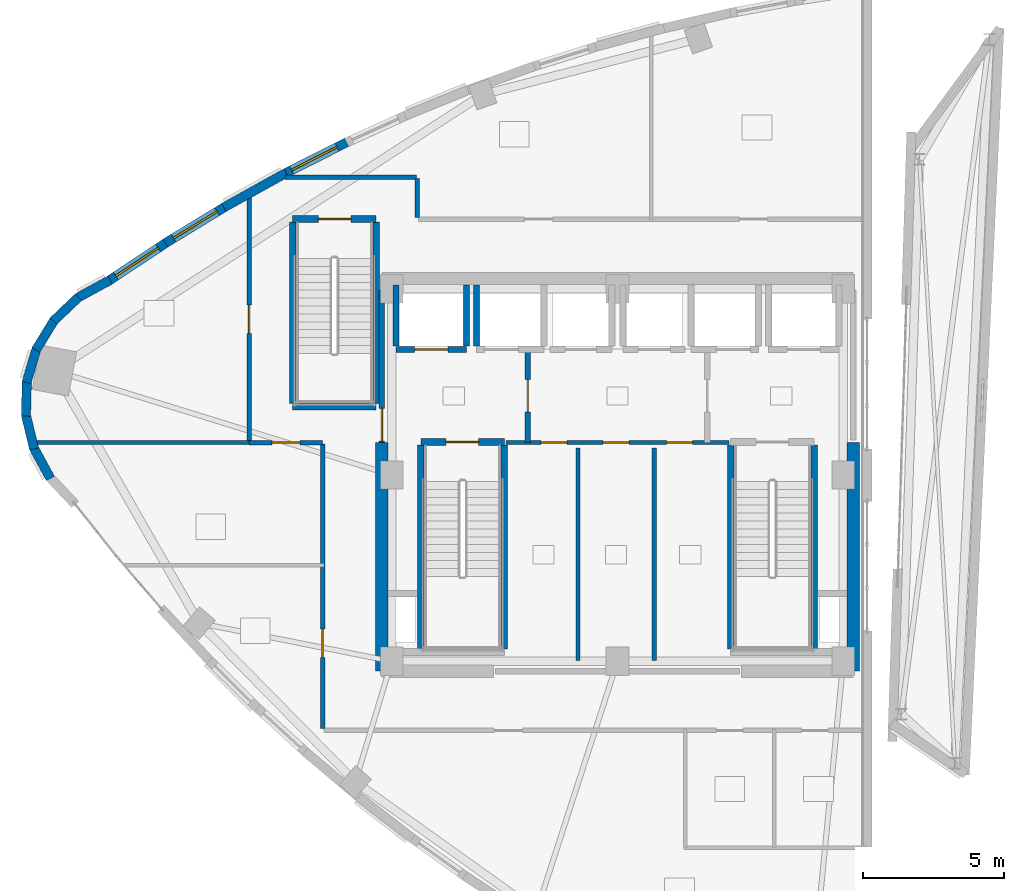
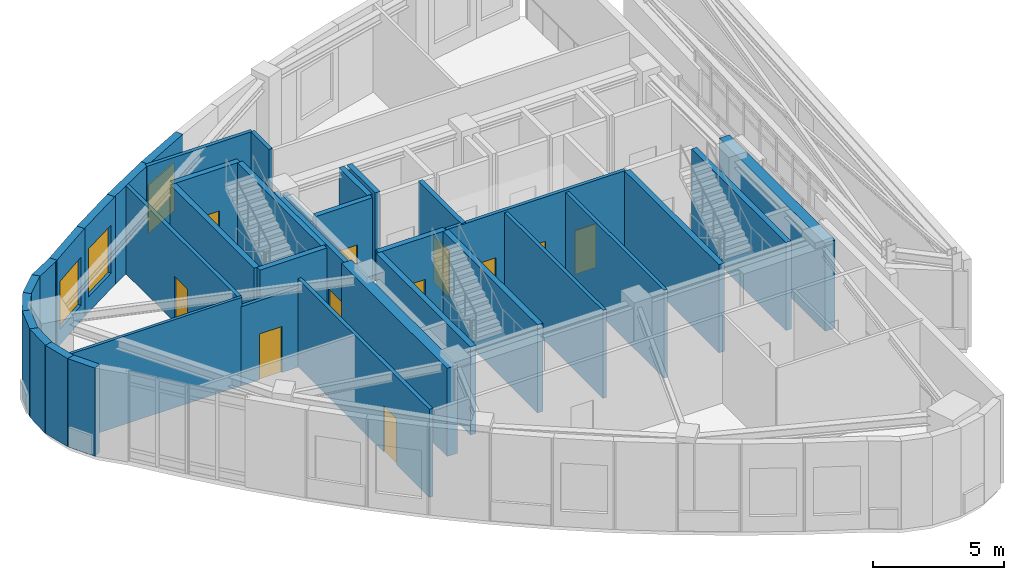
# One storey, part 14 of 19: 37 walls, 11 doors, 3 windows, 14 openings.
"""IFC4 building model written with IfcOpenShell, lengths in metres."""

from ifc_helpers import new_model, si_unit, direction, frame, frame_2d, origin, place, context, subcontext, project, spatial, rectangle, extrude, material, layer, layer_set, type_object, element, fill, save


model = new_model("IFC4")

# Units and contexts
model_context = context("Model", 3, precision=1e-05, world=origin(), true_north=direction((0.0, 1.0)))
body_context = subcontext(model_context, "Body", "Model", "MODEL_VIEW")
ifc_project = project(units=[si_unit("LENGTHUNIT", "METRE"), si_unit("AREAUNIT", "SQUARE_METRE"), si_unit("VOLUMEUNIT", "CUBIC_METRE"), si_unit("PLANEANGLEUNIT", "RADIAN"), si_unit("MASSUNIT", "GRAM", prefix="KILO")], contexts=[model_context])

# Site, building, storey
site_placement = place(None, origin())
site = spatial("IfcSite", under=ifc_project, at=site_placement, CompositionType="ELEMENT")
building_placement = place(site_placement, origin())
building = spatial("IfcBuilding", under=site, at=building_placement, Name="Ndelora Gate Hotel", CompositionType="ELEMENT")
storey_placement = place(building_placement, frame((0.0, 0.0, 299.199951171875)))
storey = spatial("IfcBuildingStorey", under=building, at=storey_placement, Name="L74", CompositionType="ELEMENT", Elevation=299.199951171875)

# Walls
ifc_material_1 = material(Name="Clay Brick Masonry", Category="masonry")
ifc_layer_1 = layer(ifc_material_1, 0.330078125)
ifc_layer_set_1 = layer_set([ifc_layer_1], Name="Clay Brick Masonry")
wall_type_1 = type_object("IfcWallType", Name="WL-BRICK-330", PredefinedType="SOLIDWALL", material=ifc_layer_set_1)
wall_1_placement = place(storey_placement, frame((-19.128173828125, 6.2841796875, 0.0), z_axis=(0.0, 0.0, 1.0), x_axis=(0.878173375728, 0.478342473719, 0.0)))
element("IfcWall", 1, at=wall_1_placement, inside=storey, type_object=wall_type_1, Name="L74 Tower Brick Pier-and-Spandrel Wall WPK-1", PredefinedType="SOLIDWALL", context=body_context, shape_type="SweptSolid", body=[
    extrude(rectangle(XDim=1.30908203125, YDim=0.330078125, at=frame_2d((0.654541015625, 0.0))), origin(), (0.0, 0.0, 1.0), 4.1201171875),
])
for number, where, z_axis, x_axis, name in (
    (2, (-19.989013671875, 5.454345703125, 0.0), (0.0, 0.0, 1.0), (0.72422318741, 0.689565642138, 0.0), "L74 Tower Brick Pier-and-Spandrel Wall WPK-3"),
    (3, (-20.606201171875, 4.429931640625, 0.0), (0.0, 0.0, 1.0), (0.521216361952, 0.853424574308, 0.0), "L74 Tower Brick Pier-and-Spandrel Wall WPK-5"),
    (4, (-20.93701171875, 3.28076171875, 0.0), (0.0, 0.0, 1.0), (0.282392736693, 0.95929888057, 0.0), "L74 Tower Brick Pier-and-Spandrel Wall WPK-7"),
    (5, (-20.95947265625, 2.085205078125, 0.0), (0.0, 0.0, 1.0), (0.024698579996, 0.999694943543, 0.0), "L74 Tower Brick Pier-and-Spandrel Wall WPK-9"),
    (6, (-20.67138671875, 0.92431640625, 0.0), (0.0, 0.0, 1.0), (-0.234796268819, 0.972044603991, 0.0), "L74 Tower Brick Pier-and-Spandrel Wall WPK-11"),
):
    element("IfcWall", number, at=place(storey_placement, frame(where, z_axis=z_axis, x_axis=x_axis)), inside=storey, type_object=wall_type_1, Name=name, PredefinedType="SOLIDWALL", context=body_context, shape_type="SweptSolid", body=[
        extrude(rectangle(XDim=1.225830078125, YDim=0.330078125, at=frame_2d((0.61279296875, 0.0))), origin(), (0.0, 0.0, 1.0), 4.1201171875),
    ])
wall_2_placement = place(storey_placement, frame((-20.0927734375, -0.122314453125, 0.0), z_axis=(0.0, 0.0, 1.0), x_axis=(-0.478321862725, 0.878184602256, 0.0)))
element("IfcWall", 7, at=wall_2_placement, inside=storey, type_object=wall_type_1, Name="L74 Tower Brick Pier-and-Spandrel Wall WPK-13", PredefinedType="SOLIDWALL", context=body_context, shape_type="SweptSolid", body=[
    extrude(rectangle(XDim=1.22607421875, YDim=0.330078125, at=frame_2d((0.613037109375, 0.0))), origin(), (0.0, 0.0, 1.0), 4.1201171875),
])

# Wall, opening, window
wall_3_placement = place(storey_placement, frame((-11.836181640625, 10.6591796875, 0.0), z_axis=(0.0, 0.0, 1.0), x_axis=(0.892552621867, 0.450943252747, 0.0)))
wall_3 = element("IfcWall", 8, at=wall_3_placement, inside=storey, type_object=wall_type_1, Name="L74 Tower Brick Pier-and-Spandrel Wall WPK-60", PredefinedType="SOLIDWALL", context=body_context, shape_type="SweptSolid", body=[
    extrude(rectangle(XDim=2.510986328125, YDim=0.330078125, at=frame_2d((1.25537109375, 0.0))), origin(), (0.0, 0.0, 1.0), 4.1201171875),
])
opening_1_placement = place(wall_3_placement, frame((0.325439453125, 0.0, 0.719970703125)))
opening_1 = element("IfcOpeningElement", 9, at=opening_1_placement, cuts=wall_3, Name="Opening W06", PredefinedType="OPENING", context=body_context, shape_type="SweptSolid", body=[
    extrude(rectangle(XDim=1.800048828125, YDim=2.25, at=frame_2d((0.89990234375, 1.125))), frame((0.0, 0.175048828125, 0.0), z_axis=(0.0, -1.0, 0.0), x_axis=(1.0, 0.0, 0.0)), (0.0, 0.0, 1.0), 0.35009765625),
])
ifc_material_2 = material(Name="Insulated Low-E Double Glazing in Bronze Aluminium Frame", Category="aluminium")
window_type = type_object("IfcWindowType", Name="WN-OBS-1800", PartitioningType="SINGLE_PANEL", PredefinedType="WINDOW", material=ifc_material_2)
window_1_placement = place(opening_1_placement, origin())
window_1 = element("IfcWindow", 10, at=window_1_placement, inside=storey, type_object=window_type, Name="L74 Deep-Set Brick-Pier Window W06", OverallHeight=2.25, OverallWidth=1.800048828125, PartitioningType="SINGLE_PANEL", PredefinedType="WINDOW", context=body_context, shape_type="SweptSolid", body=[
    extrude(rectangle(XDim=1.800048828125, YDim=2.25, at=frame_2d((0.89990234375, 1.125))), frame((0.0, 0.030029296875, 0.0), z_axis=(0.0, -1.0, 0.0), x_axis=(1.0, 0.0, 0.0)), (0.0, 0.0, 1.0), 0.06005859375),
])
fill(opening_1, window_1)

# Wall
wall_4_placement = place(storey_placement, frame((-13.94384765625, 9.484619140625, 0.0), z_axis=(0.0, 0.0, 1.0), x_axis=(0.873960918974, 0.485996205856, 0.0)))
element("IfcWall", 11, at=wall_4_placement, inside=storey, type_object=wall_type_1, Name="L74 Tower Brick Pier-and-Spandrel Wall WPK-61", PredefinedType="SOLIDWALL", context=body_context, shape_type="SweptSolid", body=[
    extrude(rectangle(XDim=2.522705078125, YDim=0.330078125, at=frame_2d((1.26123046875, 0.0))), origin(), (0.0, 0.0, 1.0), 4.1201171875),
])

# Wall, opening, window
wall_5_placement = place(storey_placement, frame((-16.0166015625, 8.21923828125, 0.0), z_axis=(0.0, 0.0, 1.0), x_axis=(0.854010909552, 0.520255097395, 0.0)))
wall_5 = element("IfcWall", 12, at=wall_5_placement, inside=storey, type_object=wall_type_1, Name="L74 Tower Brick Pier-and-Spandrel Wall WPK-62", PredefinedType="SOLIDWALL", context=body_context, shape_type="SweptSolid", body=[
    extrude(rectangle(XDim=2.538330078125, YDim=0.330078125, at=frame_2d((1.26904296875, 0.0))), origin(), (0.0, 0.0, 1.0), 4.1201171875),
])
opening_2_placement = place(wall_5_placement, frame((0.339111328125, 0.0, 0.719970703125)))
opening_2 = element("IfcOpeningElement", 13, at=opening_2_placement, cuts=wall_5, Name="Opening W06", PredefinedType="OPENING", context=body_context, shape_type="SweptSolid", body=[
    extrude(rectangle(XDim=1.800048828125, YDim=2.25, at=frame_2d((0.89990234375, 1.125))), frame((0.0, 0.175048828125, 0.0), z_axis=(0.0, -1.0, 0.0), x_axis=(1.0, 0.0, 0.0)), (0.0, 0.0, 1.0), 0.35009765625),
])
window_2_placement = place(opening_2_placement, origin())
window_2 = element("IfcWindow", 14, at=window_2_placement, inside=storey, type_object=window_type, Name="L74 Deep-Set Brick-Pier Window W06", OverallHeight=2.25, OverallWidth=1.800048828125, PartitioningType="SINGLE_PANEL", PredefinedType="WINDOW", context=body_context, shape_type="SweptSolid", body=[
    extrude(rectangle(XDim=1.800048828125, YDim=2.25, at=frame_2d((0.89990234375, 1.125))), frame((0.0, 0.030029296875, 0.0), z_axis=(0.0, -1.0, 0.0), x_axis=(1.0, 0.0, 0.0)), (0.0, 0.0, 1.0), 0.06005859375),
])
fill(opening_2, window_2)

wall_6_placement = place(storey_placement, frame((-18.072509765625, 6.853759765625, 0.0), z_axis=(0.0, 0.0, 1.0), x_axis=(0.833460819708, 0.552578557322, 0.0)))
wall_6 = element("IfcWall", 15, at=wall_6_placement, inside=storey, type_object=wall_type_1, Name="L74 Tower Brick Pier-and-Spandrel Wall WPK-63", PredefinedType="SOLIDWALL", context=body_context, shape_type="SweptSolid", body=[
    extrude(rectangle(XDim=2.578125, YDim=0.330078125, at=frame_2d((1.2890625, 0.0))), origin(), (0.0, 0.0, 1.0), 4.1201171875),
])
opening_3_placement = place(wall_6_placement, frame((0.35888671875, 0.0, 0.719970703125)))
opening_3 = element("IfcOpeningElement", 16, at=opening_3_placement, cuts=wall_6, Name="Opening W06", PredefinedType="OPENING", context=body_context, shape_type="SweptSolid", body=[
    extrude(rectangle(XDim=1.800048828125, YDim=2.25, at=frame_2d((0.89990234375, 1.125))), frame((0.0, 0.175048828125, 0.0), z_axis=(0.0, -1.0, 0.0), x_axis=(1.0, 0.0, 0.0)), (0.0, 0.0, 1.0), 0.35009765625),
])
window_3_placement = place(opening_3_placement, origin())
window_3 = element("IfcWindow", 17, at=window_3_placement, inside=storey, type_object=window_type, Name="L74 Deep-Set Brick-Pier Window W06", OverallHeight=2.25, OverallWidth=1.800048828125, PartitioningType="SINGLE_PANEL", PredefinedType="WINDOW", context=body_context, shape_type="SweptSolid", body=[
    extrude(rectangle(XDim=1.800048828125, YDim=2.25, at=frame_2d((0.89990234375, 1.125))), frame((0.0, 0.030029296875, 0.0), z_axis=(0.0, -1.0, 0.0), x_axis=(1.0, 0.0, 0.0)), (0.0, 0.0, 1.0), 0.06005859375),
])
fill(opening_3, window_3)

# Walls
ifc_material_3 = material(Name="Concrete C50/60", Category="concrete")
ifc_layer_2 = layer(ifc_material_3, 0.449951171875)
ifc_layer_set_2 = layer_set([ifc_layer_2], Name="Concrete C50/60")
wall_type_2 = type_object("IfcWallType", Name="WL-CORE-450", PredefinedType="SHEAR", material=ifc_layer_set_2)
for number, where, z_axis, x_axis, name in (
    (18, (-8.35009765625, -6.949951171875, 0.0), (0.0, 0.0, 1.0), (0.0, 1.0, 0.0), "L74 Core Shear Wall W"),
    (19, (8.35009765625, -6.949951171875, 0.0), (0.0, 0.0, 1.0), (0.0, 1.0, 0.0), "L74 Core Shear Wall E"),
):
    element("IfcWall", number, at=place(storey_placement, frame(where, z_axis=z_axis, x_axis=x_axis)), inside=storey, type_object=wall_type_2, Name=name, PredefinedType="SHEAR", context=body_context, shape_type="SweptSolid", body=[
        extrude(rectangle(XDim=8.099853515625, YDim=0.449951171875, at=frame_2d((4.0498046875, 0.0))), origin(), (0.0, 0.0, 1.0), 4.1201171875),
    ])

# Wall, opening, door
ifc_material_4 = material(Name="Concrete C40/50", Category="concrete")
ifc_layer_3 = layer(ifc_material_4, 0.199951171875)
ifc_layer_set_3 = layer_set([ifc_layer_3], Name="Concrete C40/50")
wall_type_3 = type_object("IfcWallType", Name="WL-FIRE-200", PredefinedType="PARTITIONING", material=ifc_layer_set_3)
wall_7_placement = place(storey_placement, frame((-3.179931640625, 1.14990234375, 0.0), z_axis=(0.0, 0.0, 1.0), x_axis=(0.0, 1.0, 0.0)))
wall_7 = element("IfcWall", 20, at=wall_7_placement, inside=storey, type_object=wall_type_3, Name="L74 Interior Wall IW-2", PredefinedType="PARTITIONING", context=body_context, shape_type="SweptSolid", body=[
    extrude(rectangle(XDim=3.300048828125, YDim=0.199951171875, at=frame_2d((1.64990234375, 0.0))), origin(), (0.0, 0.0, 1.0), 4.1201171875),
])
opening_4_placement = place(wall_7_placement, frame((1.080078125, 0.0, 0.0)))
opening_4 = element("IfcOpeningElement", 21, at=opening_4_placement, cuts=wall_7, Name="Opening FD1", PredefinedType="OPENING", context=body_context, shape_type="SweptSolid", body=[
    extrude(rectangle(XDim=1.14990234375, YDim=2.14990234375, at=frame_2d((0.574951171875, 1.074951171875))), frame((0.0, 0.10986328125, 0.0), z_axis=(0.0, -1.0, 0.0), x_axis=(1.0, 0.0, 0.0)), (0.0, 0.0, 1.0), 0.219970703125),
])
ifc_material_5 = material(Name="Fire-Rated Timber-Veneer Steel Core", Category="steel")
door_type_1 = type_object("IfcDoorType", Name="DR-FD60", OperationType="SINGLE_SWING_LEFT", PredefinedType="DOOR", material=ifc_material_5)
door_1_placement = place(opening_4_placement, origin())
door_1 = element("IfcDoor", 22, at=door_1_placement, inside=storey, type_object=door_type_1, Name="L74 Firefighting Lobby West Door", OperationType="SINGLE_SWING_RIGHT", OverallHeight=2.14990234375, OverallWidth=1.14990234375, PredefinedType="DOOR", context=body_context, shape_type="SweptSolid", body=[
    extrude(rectangle(XDim=1.14990234375, YDim=2.14990234375, at=frame_2d((0.574951171875, 1.074951171875))), frame((0.0, 0.02490234375, 0.0), z_axis=(0.0, -1.0, 0.0), x_axis=(1.0, 0.0, 0.0)), (0.0, 0.0, 1.0), 0.050048828125),
])
fill(opening_4, door_1)

wall_8_placement = place(storey_placement, frame((-8.35009765625, 1.14990234375, 0.0), z_axis=(0.0, 0.0, 1.0), x_axis=(0.0, 1.0, 0.0)))
wall_8 = element("IfcWall", 23, at=wall_8_placement, inside=storey, type_object=wall_type_3, Name="L74 Interior Wall IW-2", PredefinedType="PARTITIONING", context=body_context, shape_type="SweptSolid", body=[
    extrude(rectangle(XDim=5.400146484375, YDim=0.199951171875, at=frame_2d((2.7001953125, 0.0))), origin(), (0.0, 0.0, 1.0), 4.1201171875),
])
opening_5_placement = place(wall_8_placement, frame((0.06005859375, 0.0, 0.0)))
opening_5 = element("IfcOpeningElement", 24, at=opening_5_placement, cuts=wall_8, Name="Opening FD1", PredefinedType="OPENING", context=body_context, shape_type="SweptSolid", body=[
    extrude(rectangle(XDim=1.14990234375, YDim=2.14990234375, at=frame_2d((0.574951171875, 1.074951171875))), frame((0.0, 0.10986328125, 0.0), z_axis=(0.0, -1.0, 0.0), x_axis=(1.0, 0.0, 0.0)), (0.0, 0.0, 1.0), 0.219970703125),
])
door_2_placement = place(opening_5_placement, origin())
door_2 = element("IfcDoor", 25, at=door_2_placement, inside=storey, type_object=door_type_1, Name="L74 Firefighting Lobby West Corridor Door", OperationType="SINGLE_SWING_LEFT", OverallHeight=2.14990234375, OverallWidth=1.14990234375, PredefinedType="DOOR", context=body_context, shape_type="SweptSolid", body=[
    extrude(rectangle(XDim=1.14990234375, YDim=2.14990234375, at=frame_2d((0.574951171875, 1.074951171875))), frame((0.0, 0.02490234375, 0.0), z_axis=(0.0, -1.0, 0.0), x_axis=(1.0, 0.0, 0.0)), (0.0, 0.0, 1.0), 0.050048828125),
])
fill(opening_5, door_2)

# Wall, openings, doors
ifc_material_6 = material(Name="Fire-Rated Gypsum Stud Partition", Category="gypsum")
ifc_layer_4 = layer(ifc_material_6, 0.14990234375)
ifc_layer_set_4 = layer_set([ifc_layer_4], Name="Fire-Rated Gypsum Stud Partition")
wall_type_4 = type_object("IfcWallType", Name="WL-PART-150", PredefinedType="PARTITIONING", material=ifc_layer_set_4)
wall_9_placement = place(storey_placement, frame((3.949951171875, 1.14990234375, 0.0), z_axis=(0.0, 0.0, 1.0), x_axis=(-1.0, 0.0, 0.0)))
wall_9 = element("IfcWall", 26, at=wall_9_placement, inside=storey, type_object=wall_type_4, Name="L74 Interior Wall IW-5", PredefinedType="PARTITIONING", context=body_context, shape_type="SweptSolid", body=[
    extrude(rectangle(XDim=7.89990234375, YDim=0.14990234375, at=frame_2d((3.949951171875, 0.0))), origin(), (0.0, 0.0, 1.0), 4.1201171875),
])
opening_6_placement = place(wall_9_placement, frame((5.739990234375, 0.0, 0.0)))
opening_6 = element("IfcOpeningElement", 27, at=opening_6_placement, cuts=wall_9, Name="Opening D04", PredefinedType="OPENING", context=body_context, shape_type="SweptSolid", body=[
    extrude(rectangle(XDim=0.919921875, YDim=2.050048828125, at=frame_2d((0.4599609375, 1.02490234375))), frame((0.0, 0.0849609375, 0.0), z_axis=(0.0, -1.0, 0.0), x_axis=(1.0, 0.0, 0.0)), (0.0, 0.0, 1.0), 0.169921875),
])
opening_7_placement = place(wall_9_placement, frame((3.5400390625, 0.0, 0.0)))
opening_7 = element("IfcOpeningElement", 28, at=opening_7_placement, cuts=wall_9, Name="Opening D04", PredefinedType="OPENING", context=body_context, shape_type="SweptSolid", body=[
    extrude(rectangle(XDim=0.919921875, YDim=2.050048828125, at=frame_2d((0.4599609375, 1.02490234375))), frame((0.0, 0.0849609375, 0.0), z_axis=(0.0, -1.0, 0.0), x_axis=(1.0, 0.0, 0.0)), (0.0, 0.0, 1.0), 0.169921875),
])
opening_8_placement = place(wall_9_placement, frame((1.2900390625, 0.0, 0.0)))
opening_8 = element("IfcOpeningElement", 29, at=opening_8_placement, cuts=wall_9, Name="Opening D04", PredefinedType="OPENING", context=body_context, shape_type="SweptSolid", body=[
    extrude(rectangle(XDim=0.919921875, YDim=2.050048828125, at=frame_2d((0.4599609375, 1.02490234375))), frame((0.0, 0.0849609375, 0.0), z_axis=(0.0, -1.0, 0.0), x_axis=(1.0, 0.0, 0.0)), (0.0, 0.0, 1.0), 0.169921875),
])
ifc_material_7 = material(Name="Painted Steel Core Service Door", Category="steel")
door_type_2 = type_object("IfcDoorType", Name="DR-SER-920", OperationType="SINGLE_SWING_LEFT", PredefinedType="DOOR", material=ifc_material_7)
door_3_placement = place(opening_6_placement, origin())
door_3 = element("IfcDoor", 30, at=door_3_placement, inside=storey, type_object=door_type_2, Name="L74 Core Cleaners Store Door", OperationType="SINGLE_SWING_LEFT", OverallHeight=2.050048828125, OverallWidth=0.919921875, PredefinedType="DOOR", context=body_context, shape_type="SweptSolid", body=[
    extrude(rectangle(XDim=0.919921875, YDim=2.050048828125, at=frame_2d((0.4599609375, 1.02490234375))), frame((0.0, 0.02490234375, 0.0), z_axis=(0.0, -1.0, 0.0), x_axis=(1.0, 0.0, 0.0)), (0.0, 0.0, 1.0), 0.050048828125),
])
fill(opening_6, door_3)
door_4_placement = place(opening_7_placement, origin())
door_4 = element("IfcDoor", 31, at=door_4_placement, inside=storey, type_object=door_type_2, Name="L74 Core Telecoms Equipment Room Door", OperationType="SINGLE_SWING_RIGHT", OverallHeight=2.050048828125, OverallWidth=0.919921875, PredefinedType="DOOR", context=body_context, shape_type="SweptSolid", body=[
    extrude(rectangle(XDim=0.919921875, YDim=2.050048828125, at=frame_2d((0.4599609375, 1.02490234375))), frame((0.0, 0.02490234375, 0.0), z_axis=(0.0, -1.0, 0.0), x_axis=(1.0, 0.0, 0.0)), (0.0, 0.0, 1.0), 0.050048828125),
])
fill(opening_7, door_4)
door_5_placement = place(opening_8_placement, origin())
door_5 = element("IfcDoor", 32, at=door_5_placement, inside=storey, type_object=door_type_2, Name="L74 Core Electrical Metering Room Door", OperationType="SINGLE_SWING_LEFT", OverallHeight=2.050048828125, OverallWidth=0.919921875, PredefinedType="DOOR", context=body_context, shape_type="SweptSolid", body=[
    extrude(rectangle(XDim=0.919921875, YDim=2.050048828125, at=frame_2d((0.4599609375, 1.02490234375))), frame((0.0, 0.02490234375, 0.0), z_axis=(0.0, -1.0, 0.0), x_axis=(1.0, 0.0, 0.0)), (0.0, 0.0, 1.0), 0.050048828125),
])
fill(opening_8, door_5)

# Walls
for number, where, z_axis, x_axis, name in (
    (33, (-1.39990234375, -6.580078125, 0.0), (0.0, 0.0, 1.0), (0.0, 1.0, 0.0), "L74 Interior Wall IW-5"),
    (34, (1.300048828125, -6.580078125, 0.0), (0.0, 0.0, 1.0), (0.0, 1.0, 0.0), "L74 Interior Wall IW-5"),
):
    element("IfcWall", number, at=place(storey_placement, frame(where, z_axis=z_axis, x_axis=x_axis)), inside=storey, type_object=wall_type_4, Name=name, PredefinedType="PARTITIONING", context=body_context, shape_type="SweptSolid", body=[
        extrude(rectangle(XDim=7.530029296875, YDim=0.14990234375, at=frame_2d((3.76513671875, 0.0))), origin(), (0.0, 0.0, 1.0), 4.1201171875),
    ])
ifc_layer_5 = layer(ifc_material_6, 0.159912109375)
ifc_layer_set_5 = layer_set([ifc_layer_5], Name="Fire-Rated Gypsum Stud Partition")
wall_type_5 = type_object("IfcWallType", Name="WL-PART-160", PredefinedType="PARTITIONING", material=ifc_layer_set_5)
wall_10_placement = place(storey_placement, frame((-7.10009765625, 9.1201171875, 0.0), z_axis=(0.0, 0.0, 1.0), x_axis=(0.0, 1.0, 0.0)))
element("IfcWall", 35, at=wall_10_placement, inside=storey, type_object=wall_type_5, Name="L74 Interior Wall IW-4", PredefinedType="PARTITIONING", context=body_context, shape_type="SweptSolid", body=[
    extrude(rectangle(XDim=1.3798828125, YDim=0.159912109375, at=frame_2d((0.68994140625, 0.0))), origin(), (0.0, 0.0, 1.0), 4.1201171875),
])
wall_11_placement = place(storey_placement, frame((-7.1201171875, 10.550048828125, 0.0), z_axis=(0.0, 0.0, 1.0), x_axis=(-1.0, 0.0, 0.0)))
element("IfcWall", 36, at=wall_11_placement, inside=storey, type_object=wall_type_5, Name="L74 Interior Wall IW-4", PredefinedType="PARTITIONING", context=body_context, shape_type="SweptSolid", body=[
    extrude(rectangle(XDim=4.661376953125, YDim=0.159912109375, at=frame_2d((2.33056640625, 0.0))), origin(), (0.0, 0.0, 1.0), 4.1201171875),
])

# Wall, opening, door
wall_12_placement = place(storey_placement, frame((-13.050048828125, 9.844482421875, 0.0), z_axis=(0.0, 0.0, 1.0), x_axis=(0.0, -1.0, 0.0)))
wall_12 = element("IfcWall", 37, at=wall_12_placement, inside=storey, type_object=wall_type_5, Name="L74 Interior Wall IW-4", PredefinedType="PARTITIONING", context=body_context, shape_type="SweptSolid", body=[
    extrude(rectangle(XDim=8.64453125, YDim=0.159912109375, at=frame_2d((4.322265625, 0.0))), origin(), (0.0, 0.0, 1.0), 4.1201171875),
])
opening_9_placement = place(wall_12_placement, frame((3.822265625, 0.0, 0.0)))
opening_9 = element("IfcOpeningElement", 38, at=opening_9_placement, cuts=wall_12, Name="Opening D01", PredefinedType="OPENING", context=body_context, shape_type="SweptSolid", body=[
    extrude(rectangle(XDim=1.0, YDim=2.14990234375, at=frame_2d((0.5, 1.074951171875))), frame((0.0, 0.08984375, 0.0), z_axis=(0.0, -1.0, 0.0), x_axis=(1.0, 0.0, 0.0)), (0.0, 0.0, 1.0), 0.179931640625),
])
ifc_material_8 = material(Name="Acoustic Hardwood Guest Entrance Door", Category="wood")
door_type_3 = type_object("IfcDoorType", Name="DR-COR-1000", OperationType="SINGLE_SWING_LEFT", PredefinedType="DOOR", material=ifc_material_8)
door_6_placement = place(opening_9_placement, origin())
door_6 = element("IfcDoor", 39, at=door_6_placement, inside=storey, type_object=door_type_3, Name="L74 Presidential Reading Library Door", OperationType="SINGLE_SWING_RIGHT", OverallHeight=2.14990234375, OverallWidth=1.0, PredefinedType="DOOR", context=body_context, shape_type="SweptSolid", body=[
    extrude(rectangle(XDim=1.0, YDim=2.14990234375, at=frame_2d((0.5, 1.074951171875))), frame((0.0, 0.02490234375, 0.0), z_axis=(0.0, -1.0, 0.0), x_axis=(1.0, 0.0, 0.0)), (0.0, 0.0, 1.0), 0.050048828125),
])
fill(opening_9, door_6)

wall_13_placement = place(storey_placement, frame((-13.050048828125, 1.14990234375, 0.0), z_axis=(0.0, 0.0, 1.0), x_axis=(1.0, 0.0, 0.0)))
wall_13 = element("IfcWall", 40, at=wall_13_placement, inside=storey, type_object=wall_type_5, Name="L74 Interior Wall IW-4", PredefinedType="PARTITIONING", context=body_context, shape_type="SweptSolid", body=[
    extrude(rectangle(XDim=2.60009765625, YDim=0.159912109375, at=frame_2d((1.300048828125, 0.0))), origin(), (0.0, 0.0, 1.0), 3.699951171875),
])
opening_10_placement = place(wall_13_placement, frame((0.800048828125, 0.0, 0.0)))
opening_10 = element("IfcOpeningElement", 41, at=opening_10_placement, cuts=wall_13, Name="Opening D01", PredefinedType="OPENING", context=body_context, shape_type="SweptSolid", body=[
    extrude(rectangle(XDim=1.0, YDim=2.14990234375, at=frame_2d((0.5, 1.074951171875))), frame((0.0, 0.08984375, 0.0), z_axis=(0.0, -1.0, 0.0), x_axis=(1.0, 0.0, 0.0)), (0.0, 0.0, 1.0), 0.179931640625),
])
door_7_placement = place(opening_10_placement, origin())
door_7 = element("IfcDoor", 42, at=door_7_placement, inside=storey, type_object=door_type_3, Name="L74 Broadcast Media Conference Room Door", OperationType="SINGLE_SWING_LEFT", OverallHeight=2.14990234375, OverallWidth=1.0, PredefinedType="DOOR", context=body_context, shape_type="SweptSolid", body=[
    extrude(rectangle(XDim=1.0, YDim=2.14990234375, at=frame_2d((0.5, 1.074951171875))), frame((0.0, 0.02490234375, 0.0), z_axis=(0.0, -1.0, 0.0), x_axis=(1.0, 0.0, 0.0)), (0.0, 0.0, 1.0), 0.050048828125),
])
fill(opening_10, door_7)

wall_14_placement = place(storey_placement, frame((-10.449951171875, 1.10009765625, 0.0), z_axis=(0.0, 0.0, 1.0), x_axis=(0.0, -1.0, 0.0)))
wall_14 = element("IfcWall", 43, at=wall_14_placement, inside=storey, type_object=wall_type_5, Name="L74 Interior Wall IW-4", PredefinedType="PARTITIONING", context=body_context, shape_type="SweptSolid", body=[
    extrude(rectangle(XDim=10.080078125, YDim=0.159912109375, at=frame_2d((5.0400390625, 0.0))), origin(), (0.0, 0.0, 1.0), 4.1201171875),
])
opening_11_placement = place(wall_14_placement, frame((6.56005859375, 0.0, 0.0)))
opening_11 = element("IfcOpeningElement", 44, at=opening_11_placement, cuts=wall_14, Name="Opening D01", PredefinedType="OPENING", context=body_context, shape_type="SweptSolid", body=[
    extrude(rectangle(XDim=1.0, YDim=2.14990234375, at=frame_2d((0.5, 1.074951171875))), frame((0.0, 0.08984375, 0.0), z_axis=(0.0, -1.0, 0.0), x_axis=(1.0, 0.0, 0.0)), (0.0, 0.0, 1.0), 0.179931640625),
])
door_8_placement = place(opening_11_placement, origin())
door_8 = element("IfcDoor", 45, at=door_8_placement, inside=storey, type_object=door_type_3, Name="L74 Horizon Sunset Cocktail Bar Door", OperationType="SINGLE_SWING_LEFT", OverallHeight=2.14990234375, OverallWidth=1.0, PredefinedType="DOOR", context=body_context, shape_type="SweptSolid", body=[
    extrude(rectangle(XDim=1.0, YDim=2.14990234375, at=frame_2d((0.5, 1.074951171875))), frame((0.0, 0.02490234375, 0.0), z_axis=(0.0, -1.0, 0.0), x_axis=(1.0, 0.0, 0.0)), (0.0, 0.0, 1.0), 0.050048828125),
])
fill(opening_11, door_8)

ifc_layer_6 = layer(ifc_material_4, 0.219970703125)
ifc_layer_set_6 = layer_set([ifc_layer_6], Name="Concrete C40/50")
wall_type_6 = type_object("IfcWallType", Name="WL-SHAFT-220", PredefinedType="PARTITIONING", material=ifc_layer_set_6)
wall_15_placement = place(storey_placement, frame((-7.85009765625, 4.449951171875, 0.0), z_axis=(0.0, 0.0, 1.0), x_axis=(1.0, 0.0, 0.0)))
wall_15 = element("IfcWall", 46, at=wall_15_placement, inside=storey, type_object=wall_type_6, Name="L74 Interior Wall IW-1", PredefinedType="PARTITIONING", context=body_context, shape_type="SweptSolid", body=[
    extrude(rectangle(XDim=2.5, YDim=0.219970703125, at=frame_2d((1.25, 0.0))), origin(), (0.0, 0.0, 1.0), 4.1201171875),
])
opening_12_placement = place(wall_15_placement, frame((0.659912109375, 0.0, 0.0)))
opening_12 = element("IfcOpeningElement", 47, at=opening_12_placement, cuts=wall_15, Name="Opening LD5", PredefinedType="OPENING", context=body_context, shape_type="SweptSolid", body=[
    extrude(rectangle(XDim=1.179931640625, YDim=2.14990234375, at=frame_2d((0.58984375, 1.074951171875))), frame((0.0, 0.1201171875, 0.0), z_axis=(0.0, -1.0, 0.0), x_axis=(1.0, 0.0, 0.0)), (0.0, 0.0, 1.0), 0.239990234375),
])
ifc_material_9 = material(Name="Firefighting Lift Stainless Sliding Landing Door", Category="metal")
door_type_4 = type_object("IfcDoorType", Name="DR-LD5", OperationType="DOUBLE_DOOR_SLIDING", PredefinedType="DOOR", material=ifc_material_9)
door_9_placement = place(opening_12_placement, origin())
door_9 = element("IfcDoor", 48, at=door_9_placement, inside=storey, type_object=door_type_4, Name="L74 Lift Landing Sliding Door FFL1", OperationType="DOUBLE_DOOR_SLIDING", OverallHeight=2.14990234375, OverallWidth=1.179931640625, PredefinedType="DOOR", context=body_context, shape_type="SweptSolid", body=[
    extrude(rectangle(XDim=1.179931640625, YDim=2.14990234375, at=frame_2d((0.58984375, 1.074951171875))), frame((0.0, 0.02490234375, 0.0), z_axis=(0.0, -1.0, 0.0), x_axis=(1.0, 0.0, 0.0)), (0.0, 0.0, 1.0), 0.050048828125),
])
fill(opening_12, door_9)

# Walls
wall_16_placement = place(storey_placement, frame((-7.85009765625, 4.570068359375, 0.0), z_axis=(0.0, 0.0, 1.0), x_axis=(0.0, 1.0, 0.0)))
element("IfcWall", 49, at=wall_16_placement, inside=storey, type_object=wall_type_6, Name="L74 Interior Wall IW-1", PredefinedType="PARTITIONING", context=body_context, shape_type="SweptSolid", body=[
    extrude(rectangle(XDim=2.155029296875, YDim=0.219970703125, at=frame_2d((1.07763671875, 0.0))), origin(), (0.0, 0.0, 1.0), 3.800048828125),
])
for number, where, z_axis, x_axis, name in (
    (50, (-5.35009765625, 4.570068359375, 0.0), (0.0, 0.0, 1.0), (0.0, 1.0, 0.0), "L74 Interior Wall IW-1"),
    (51, (-5.0, 4.570068359375, 0.0), (0.0, 0.0, 1.0), (0.0, 1.0, 0.0), "L74 Interior Wall IW-1"),
):
    element("IfcWall", number, at=place(storey_placement, frame(where, z_axis=z_axis, x_axis=x_axis)), inside=storey, type_object=wall_type_6, Name=name, PredefinedType="PARTITIONING", context=body_context, shape_type="SweptSolid", body=[
        extrude(rectangle(XDim=2.155029296875, YDim=0.219970703125, at=frame_2d((1.07763671875, 0.0))), origin(), (0.0, 0.0, 1.0), 4.1201171875),
    ])
ifc_layer_7 = layer(ifc_material_3, 0.239990234375)
ifc_layer_set_7 = layer_set([ifc_layer_7], Name="Concrete C50/60")
wall_type_7 = type_object("IfcWallType", Name="WL-STAIR-240", PredefinedType="SHEAR", material=ifc_layer_set_7)
for number, where, z_axis, x_axis, name in (
    (52, (-6.969970703125, -6.159912109375, 0.0), (0.0, 0.0, 1.0), (0.0, 1.0, 0.0), "L74 Stair Core Shear Wall SW-ST"),
    (53, (-4.010009765625, -6.159912109375, 0.0), (0.0, 0.0, 1.0), (0.0, 1.0, 0.0), "L74 Stair Core Shear Wall SW-ST"),
):
    element("IfcWall", number, at=place(storey_placement, frame(where, z_axis=z_axis, x_axis=x_axis)), inside=storey, type_object=wall_type_7, Name=name, PredefinedType="SHEAR", context=body_context, shape_type="SweptSolid", body=[
        extrude(rectangle(XDim=7.219970703125, YDim=0.239990234375, at=frame_2d((3.60986328125, 0.0))), origin(), (0.0, 0.0, 1.0), 4.1201171875),
    ])

# Wall, opening, door
wall_17_placement = place(storey_placement, frame((-6.969970703125, 1.169921875, 0.0), z_axis=(0.0, 0.0, 1.0), x_axis=(1.0, 0.0, 0.0)))
wall_17 = element("IfcWall", 54, at=wall_17_placement, inside=storey, type_object=wall_type_7, Name="L74 Stair Core Shear Wall SW-ST", PredefinedType="SHEAR", context=body_context, shape_type="SweptSolid", body=[
    extrude(rectangle(XDim=2.9599609375, YDim=0.239990234375, at=frame_2d((1.47998046875, 0.0))), origin(), (0.0, 0.0, 1.0), 4.1201171875),
])
opening_13_placement = place(wall_17_placement, frame((0.89990234375, 0.0, 0.0)))
opening_13 = element("IfcOpeningElement", 55, at=opening_13_placement, cuts=wall_17, Name="Opening FD1", PredefinedType="OPENING", context=body_context, shape_type="SweptSolid", body=[
    extrude(rectangle(XDim=1.14990234375, YDim=2.14990234375, at=frame_2d((0.574951171875, 1.074951171875))), frame((0.0, 0.1298828125, 0.0), z_axis=(0.0, -1.0, 0.0), x_axis=(1.0, 0.0, 0.0)), (0.0, 0.0, 1.0), 0.260009765625),
])
door_10_placement = place(opening_13_placement, origin())
door_10 = element("IfcDoor", 56, at=door_10_placement, inside=storey, type_object=door_type_1, Name="L74 Exit Stair ST4 Door", OperationType="SINGLE_SWING_LEFT", OverallHeight=2.14990234375, OverallWidth=1.14990234375, PredefinedType="DOOR", context=body_context, shape_type="SweptSolid", body=[
    extrude(rectangle(XDim=1.14990234375, YDim=2.14990234375, at=frame_2d((0.574951171875, 1.074951171875))), frame((0.0, 0.02490234375, 0.0), z_axis=(0.0, -1.0, 0.0), x_axis=(1.0, 0.0, 0.0)), (0.0, 0.0, 1.0), 0.050048828125),
])
fill(opening_13, door_10)

# Walls
for number, where, z_axis, x_axis, name in (
    (57, (4.010009765625, -6.159912109375, 0.0), (0.0, 0.0, 1.0), (0.0, 1.0, 0.0), "L74 Stair Core Shear Wall SW-ST"),
    (58, (6.969970703125, -6.159912109375, 0.0), (0.0, 0.0, 1.0), (0.0, 1.0, 0.0), "L74 Stair Core Shear Wall SW-ST"),
):
    element("IfcWall", number, at=place(storey_placement, frame(where, z_axis=z_axis, x_axis=x_axis)), inside=storey, type_object=wall_type_7, Name=name, PredefinedType="SHEAR", context=body_context, shape_type="SweptSolid", body=[
        extrude(rectangle(XDim=7.219970703125, YDim=0.239990234375, at=frame_2d((3.60986328125, 0.0))), origin(), (0.0, 0.0, 1.0), 4.1201171875),
    ])
wall_18_placement = place(storey_placement, frame((-11.510009765625, 2.5400390625, 0.0), z_axis=(0.0, 0.0, 1.0), x_axis=(0.0, 1.0, 0.0)))
element("IfcWall", 59, at=wall_18_placement, inside=storey, type_object=wall_type_7, Name="L74 Stair Core Shear Wall SW-ST", PredefinedType="SHEAR", context=body_context, shape_type="SweptSolid", body=[
    extrude(rectangle(XDim=6.419921875, YDim=0.239990234375, at=frame_2d((3.2099609375, 0.0))), origin(), (0.0, 0.0, 1.0), 4.1201171875),
])
wall_19_placement = place(storey_placement, frame((-11.510009765625, 2.429931640625, 0.0), z_axis=(0.0, 0.0, 1.0), x_axis=(1.0, 0.0, 0.0)))
element("IfcWall", 60, at=wall_19_placement, inside=storey, type_object=wall_type_7, Name="L74 Stair Core Shear Wall SW-ST", PredefinedType="SHEAR", context=body_context, shape_type="SweptSolid", body=[
    extrude(rectangle(XDim=2.9599609375, YDim=0.239990234375, at=frame_2d((1.47998046875, 0.0))), origin(), (0.0, 0.0, 1.0), 4.1201171875),
])
wall_20_placement = place(storey_placement, frame((-8.550048828125, 2.5400390625, 0.0), z_axis=(0.0, 0.0, 1.0), x_axis=(0.0, 1.0, 0.0)))
element("IfcWall", 61, at=wall_20_placement, inside=storey, type_object=wall_type_7, Name="L74 Stair Core Shear Wall SW-ST", PredefinedType="SHEAR", context=body_context, shape_type="SweptSolid", body=[
    extrude(rectangle(XDim=6.419921875, YDim=0.239990234375, at=frame_2d((3.2099609375, 0.0))), origin(), (0.0, 0.0, 1.0), 4.1201171875),
])

# Wall, opening, door
wall_21_placement = place(storey_placement, frame((-8.550048828125, 9.070068359375, 0.0), z_axis=(0.0, 0.0, 1.0), x_axis=(-1.0, 0.0, 0.0)))
wall_21 = element("IfcWall", 62, at=wall_21_placement, inside=storey, type_object=wall_type_7, Name="L74 Stair Core Shear Wall SW-ST", PredefinedType="SHEAR", context=body_context, shape_type="SweptSolid", body=[
    extrude(rectangle(XDim=2.9599609375, YDim=0.239990234375, at=frame_2d((1.47998046875, 0.0))), origin(), (0.0, 0.0, 1.0), 4.1201171875),
])
opening_14_placement = place(wall_21_placement, frame((0.89990234375, 0.0, 0.0)))
opening_14 = element("IfcOpeningElement", 63, at=opening_14_placement, cuts=wall_21, Name="Opening FD1", PredefinedType="OPENING", context=body_context, shape_type="SweptSolid", body=[
    extrude(rectangle(XDim=1.14990234375, YDim=2.14990234375, at=frame_2d((0.574951171875, 1.074951171875))), frame((0.0, 0.1298828125, 0.0), z_axis=(0.0, -1.0, 0.0), x_axis=(1.0, 0.0, 0.0)), (0.0, 0.0, 1.0), 0.260009765625),
])
door_11_placement = place(opening_14_placement, origin())
door_11 = element("IfcDoor", 64, at=door_11_placement, inside=storey, type_object=door_type_1, Name="L74 Crown Stair ST6 Door", OperationType="SINGLE_SWING_LEFT", OverallHeight=2.14990234375, OverallWidth=1.14990234375, PredefinedType="DOOR", context=body_context, shape_type="SweptSolid", body=[
    extrude(rectangle(XDim=1.14990234375, YDim=2.14990234375, at=frame_2d((0.574951171875, 1.074951171875))), frame((0.0, 0.02490234375, 0.0), z_axis=(0.0, -1.0, 0.0), x_axis=(1.0, 0.0, 0.0)), (0.0, 0.0, 1.0), 0.050048828125),
])
fill(opening_14, door_11)

# Wall
ifc_material_10 = material(Name="Moisture-Resistant Fire-Rated Tile Partition", Category="gypsum")
ifc_layer_8 = layer(ifc_material_10, 0.1298828125)
ifc_layer_set_8 = layer_set([ifc_layer_8], Name="Moisture-Resistant Fire-Rated Tile Partition")
wall_type_8 = type_object("IfcWallType", Name="WL-WET-RATED", PredefinedType="PARTITIONING", material=ifc_layer_set_8)
wall_22_placement = place(storey_placement, frame((-20.69482421875, 1.14990234375, 0.0), z_axis=(0.0, 0.0, 1.0), x_axis=(1.0, 0.0, 0.0)))
element("IfcWall", 65, at=wall_22_placement, inside=storey, type_object=wall_type_8, Name="L74 Interior Wall IW-6", PredefinedType="PARTITIONING", context=body_context, shape_type="SweptSolid", body=[
    extrude(rectangle(XDim=7.69482421875, YDim=0.1298828125, at=frame_2d((3.847412109375, 0.0))), origin(), (0.0, 0.0, 1.0), 4.1201171875),
])

save(model, "model.ifc")
